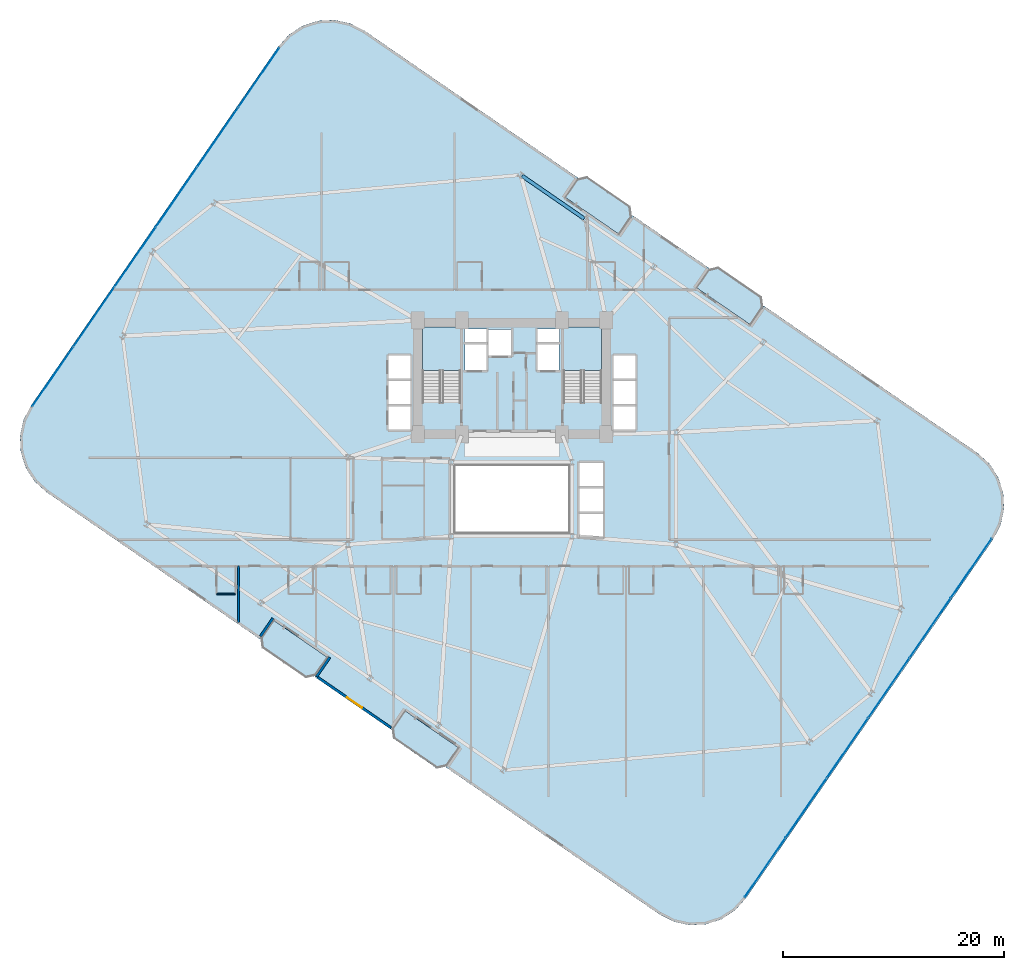
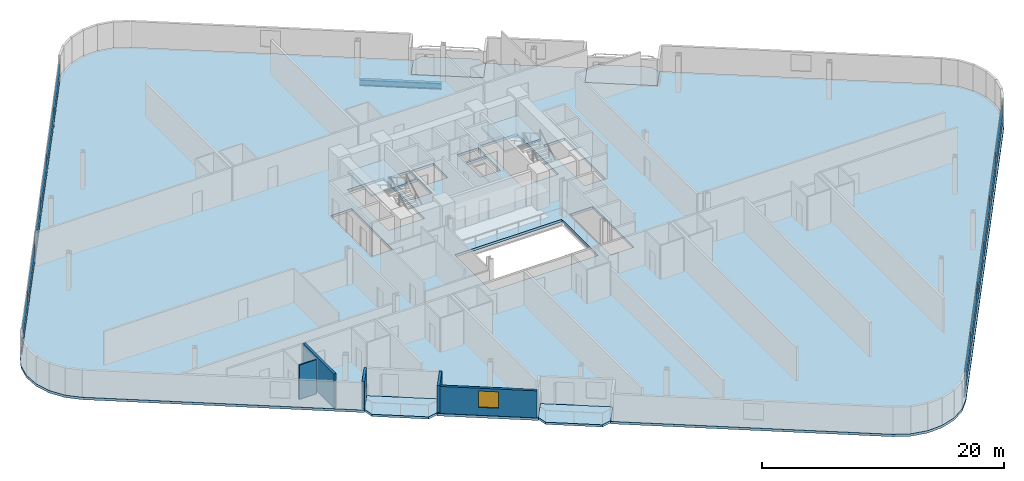
# One storey, part 16 of 25: 24 plates, 7 slabs, 5 walls, 1 beam, 1 window, 1 opening, 4 elements without a shape of their own.
"""IFC4 building model written with IfcOpenShell, lengths in metres."""

from ifc_helpers import new_model, si_unit, direction, frame, frame_2d, origin, origin_2d, place, context, subcontext, project, spatial, polyline, rectangle, i_section, outline, extrude, source, transform, mapped, material, layer, layer_set, material_profile, profile_set, type_object, element, fill, aggregate, save


model = new_model("IFC4")

# Units and contexts
model_context = context("Model", 3, precision=1e-05, world=origin(), true_north=direction((0.0, 1.0)))
body_context = subcontext(model_context, "Body", "Model", "MODEL_VIEW")
ifc_project = project(units=[si_unit("LENGTHUNIT", "METRE"), si_unit("AREAUNIT", "SQUARE_METRE"), si_unit("VOLUMEUNIT", "CUBIC_METRE"), si_unit("PLANEANGLEUNIT", "RADIAN"), si_unit("MASSUNIT", "GRAM", prefix="KILO")], contexts=[model_context])

# Site, building, storey
site_placement = place(None, origin())
site = spatial("IfcSite", under=ifc_project, at=site_placement, CompositionType="ELEMENT")
building_placement = place(site_placement, origin())
building = spatial("IfcBuilding", under=site, at=building_placement, Name="Varnelok Gate Tower", CompositionType="ELEMENT")
storey_placement = place(building_placement, frame((0.0, 0.0, 56.60009765625)))
storey = spatial("IfcBuildingStorey", under=building, at=storey_placement, Name="L13", CompositionType="ELEMENT", Elevation=56.60009765625)

# Beam
ifc_material_1 = material(Name="Structural Steel ASTM A992 Grade 50", Category="steel")
ifc_material_profile = material_profile(ifc_material_1, i_section(OverallWidth=0.323974609375, OverallDepth=0.611083984375, WebThickness=0.0126953125, FlangeThickness=0.01904296875, FilletRadius=0.01806640625, at=origin_2d()), Name="W24X104")
ifc_profile_set = profile_set([ifc_material_profile], Name="Structural Steel ASTM A992 Grade 50")
beam_type = type_object("IfcBeamType", Name="BM-SPN-W24X104", PredefinedType="SPANDREL", material=ifc_profile_set)
beam_placement = place(storey_placement, frame((45.708984375, 48.235107421875, -0.5556640625), z_axis=(-0.823553445566, 0.567238681947, 0.0), x_axis=(-0.567238681947, -0.823553445566, 0.0)))
element("IfcBeam", 1, at=beam_placement, inside=storey, type_object=beam_type, Name="L13 Perimeter Spandrel Beam 12", PredefinedType="SPANDREL", context=body_context, shape_type="SweptSolid", body=[
    extrude(i_section(OverallWidth=0.323974609375, OverallDepth=0.611083984375, WebThickness=0.0126953125, FlangeThickness=0.01904296875, FilletRadius=0.01806640625, at=origin_2d()), origin(), (0.0, 0.0, 1.0), 6.7998046875),
])

# Slabs
ifc_material_2 = material(Name="Concrete C45/55", Category="concrete")
ifc_layer_1 = layer(ifc_material_2, 0.219970703125)
ifc_layer_set_1 = layer_set([ifc_layer_1], Name="Concrete C45/55")
slab_type_1 = type_object("IfcSlabType", Name="SLB-BALC-220", PredefinedType="FLOOR", material=ifc_layer_set_1)
slab_1_placement = place(storey_placement, frame((0.0, 0.0, -0.22021484375)))
element("IfcSlab", 2, at=slab_1_placement, inside=storey, type_object=slab_type_1, Name="L13 South Hollow Balcony 1", PredefinedType="FLOOR", context=body_context, shape_type="SweptSolid", body=[
    extrude(outline(polyline([(16.5048828125, 10.3330078125), (16.67138671875, 9.42919921875), (20.5419921875, 6.762939453125), (21.446044921875, 6.929443359375), (22.58056640625, 8.57666015625), (17.639404296875, 11.980224609375), (16.5048828125, 10.3330078125)])), origin(), (0.0, 0.0, 1.0), 0.22021484375),
])
slab_2_placement = place(storey_placement, frame((0.0, 0.0, -0.22021484375)))
element("IfcSlab", 3, at=slab_2_placement, inside=storey, type_object=slab_type_1, Name="L13 South Hollow Balcony 2", PredefinedType="FLOOR", context=body_context, shape_type="SweptSolid", body=[
    extrude(outline(polyline([(28.36376953125, 2.164306640625), (28.5302734375, 1.260498046875), (32.40087890625, -1.40576171875), (33.304931640625, -1.2392578125), (34.439453125, 0.407958984375), (29.498291015625, 3.8115234375), (28.36376953125, 2.164306640625)])), origin(), (0.0, 0.0, 1.0), 0.22021484375),
])
slab_3_placement = place(storey_placement, frame((0.0, 0.0, -0.22021484375)))
element("IfcSlab", 4, at=slab_3_placement, inside=storey, type_object=slab_type_1, Name="L13 North Hollow Balcony 1", PredefinedType="FLOOR", context=body_context, shape_type="SweptSolid", body=[
    extrude(outline(polyline([(43.960693359375, 50.192138671875), (48.90185546875, 46.78857421875), (50.036376953125, 48.435546875), (49.869873046875, 49.339599609375), (45.999267578125, 52.005615234375), (45.09521484375, 51.839111328125), (43.960693359375, 50.192138671875)])), origin(), (0.0, 0.0, 1.0), 0.22021484375),
])
slab_4_placement = place(storey_placement, frame((0.0, 0.0, -0.22021484375)))
element("IfcSlab", 5, at=slab_4_placement, inside=storey, type_object=slab_type_1, Name="L13 North Hollow Balcony 2", PredefinedType="FLOOR", context=body_context, shape_type="SweptSolid", body=[
    extrude(outline(polyline([(55.819580078125, 42.0234375), (60.7607421875, 38.619873046875), (61.895263671875, 40.266845703125), (61.728515625, 41.1708984375), (57.85791015625, 43.837158203125), (56.9541015625, 43.67041015625), (55.819580078125, 42.0234375)])), origin(), (0.0, 0.0, 1.0), 0.22021484375),
])

# Stair, slab
ifc_material_3 = material(Name="Concrete C50/60", Category="concrete")
stair_type = type_object("IfcStairType", Name="STR-CORE-1650", PredefinedType="HALF_TURN_STAIR", material=ifc_material_3)
stair_1_placement = place(storey_placement, origin())
stair_1 = element("IfcStair", 6, at=stair_1_placement, inside=storey, type_object=stair_type, Name="L13 Exit Stair ST-1", PredefinedType="HALF_TURN_STAIR")
ifc_layer_2 = layer(ifc_material_2, 0.199951171875)
ifc_layer_set_2 = layer_set([ifc_layer_2], Name="Concrete C45/55")
slab_type_2 = type_object("IfcSlabType", Name="SLB-LAND-200", PredefinedType="LANDING", material=ifc_layer_set_2)
slab_5_placement = place(storey_placement, frame((0.0, 0.0, 1.64990234375)))
slab_5 = element("IfcSlab", 7, at=slab_5_placement, type_object=slab_type_2, Name="ST-1 landing 1", PredefinedType="LANDING", context=body_context, shape_type="SweptSolid", body=[
    extrude(outline(polyline([(34.550048828125, 34.5), (34.550048828125, 38.449951171875), (31.10009765625, 38.449951171875), (31.10009765625, 34.5), (34.550048828125, 34.5)])), origin(), (0.0, 0.0, 1.0), 0.199951171875),
])
aggregate(stair_1, [slab_5])

stair_2_placement = place(storey_placement, origin())
stair_2 = element("IfcStair", 8, at=stair_2_placement, inside=storey, type_object=stair_type, Name="L13 Exit Stair ST-2", PredefinedType="HALF_TURN_STAIR")
slab_6_placement = place(storey_placement, frame((0.0, 0.0, 1.64990234375)))
slab_6 = element("IfcSlab", 9, at=slab_6_placement, type_object=slab_type_2, Name="ST-2 landing 1", PredefinedType="LANDING", context=body_context, shape_type="SweptSolid", body=[
    extrude(outline(polyline([(47.300048828125, 34.5), (47.300048828125, 38.449951171875), (43.85009765625, 38.449951171875), (43.85009765625, 34.5), (47.300048828125, 34.5)])), origin(), (0.0, 0.0, 1.0), 0.199951171875),
])
aggregate(stair_2, [slab_6])

# Slab
ifc_layer_3 = layer(ifc_material_3, 0.25)
ifc_layer_set_3 = layer_set([ifc_layer_3], Name="Concrete C50/60")
slab_type_3 = type_object("IfcSlabType", Name="SLB-TYP-250", PredefinedType="FLOOR", material=ifc_layer_set_3)
slab_7_placement = place(storey_placement, frame((0.0, 0.0, -0.25)))
element("IfcSlab", 10, at=slab_7_placement, inside=storey, type_object=slab_type_3, Name="L13 Structural Floor Slab", PredefinedType="FLOOR", context=body_context, shape_type="SweptSolid", body=[
    extrude(outline(polyline([(-4.2578125, 31.3134765625), (-4.922607421875, 30.011474609375), (-5.22802734375, 28.581787109375), (-5.1533203125, 27.121826171875), (-4.702880859375, 25.731201171875), (-3.907958984375, 24.504150390625), (-2.822509765625, 23.52490234375), (7.7734375, 16.22607421875), (16.447998046875, 10.250732421875), (17.639404296875, 11.980224609375), (22.58056640625, 8.57666015625), (21.389404296875, 6.84716796875), (28.306884765625, 2.08203125), (29.498291015625, 3.8115234375), (34.439453125, 0.407958984375), (33.248046875, -1.321533203125), (41.922607421875, -7.296875), (52.518798828125, -14.595703125), (53.82080078125, -15.2607421875), (55.250244140625, -15.566162109375), (56.710205078125, -15.4912109375), (58.10107421875, -15.040771484375), (59.327880859375, -14.245849609375), (60.307373046875, -13.160400390625), (82.65771484375, 19.28662109375), (83.32275390625, 20.58837890625), (83.628173828125, 22.018310546875), (83.55322265625, 23.47802734375), (83.102783203125, 24.868896484375), (82.30810546875, 26.095703125), (81.22265625, 27.0751953125), (70.62646484375, 34.3740234375), (61.951904296875, 40.34912109375), (60.7607421875, 38.619873046875), (55.819580078125, 42.0234375), (57.0107421875, 43.752685546875), (50.093017578125, 48.517822265625), (48.90185546875, 46.78857421875), (43.960693359375, 50.192138671875), (45.15185546875, 51.92138671875), (36.477294921875, 57.896728515625), (25.881103515625, 65.195556640625), (24.579345703125, 65.860595703125), (23.149658203125, 66.166015625), (21.689697265625, 66.091064453125), (20.299072265625, 65.640869140625), (19.072021484375, 64.845947265625), (18.0927734375, 63.760498046875), (-4.2578125, 31.3134765625)]), holes=[polyline([(34.550048828125, 31.679931640625), (34.550048828125, 38.449951171875), (31.10009765625, 38.449951171875), (31.10009765625, 31.679931640625), (34.550048828125, 31.679931640625)]), polyline([(47.300048828125, 31.679931640625), (47.300048828125, 38.449951171875), (43.85009765625, 38.449951171875), (43.85009765625, 31.679931640625), (47.300048828125, 31.679931640625)]), polyline([(34.949951171875, 34.550048828125), (36.89990234375, 34.550048828125), (36.89990234375, 36.89990234375), (34.949951171875, 36.89990234375), (34.949951171875, 34.550048828125)]), polyline([(41.5, 34.550048828125), (43.449951171875, 34.550048828125), (43.449951171875, 36.89990234375), (41.5, 36.89990234375), (41.5, 34.550048828125)]), polyline([(37.050048828125, 35.85009765625), (39.14990234375, 35.85009765625), (39.14990234375, 38.199951171875), (37.050048828125, 38.199951171875), (37.050048828125, 35.85009765625)]), polyline([(28.050048828125, 29.14990234375), (30.050048828125, 29.14990234375), (30.050048828125, 35.89990234375), (28.050048828125, 35.89990234375), (28.050048828125, 29.14990234375)]), polyline([(48.35009765625, 29.14990234375), (50.35009765625, 29.14990234375), (50.35009765625, 35.89990234375), (48.35009765625, 35.89990234375), (48.35009765625, 29.14990234375)]), polyline([(45.25, 19.449951171875), (47.449951171875, 19.449951171875), (47.449951171875, 26.199951171875), (45.25, 26.199951171875), (45.25, 19.449951171875)]), polyline([(34.919921875, 37.080078125), (36.89990234375, 37.080078125), (36.89990234375, 38.280029296875), (34.919921875, 38.280029296875), (34.919921875, 37.080078125)]), polyline([(41.5, 37.080078125), (43.47998046875, 37.080078125), (43.47998046875, 38.280029296875), (41.5, 38.280029296875), (41.5, 37.080078125)]), polyline([(34.10009765625, 19.89990234375), (44.300048828125, 19.89990234375), (44.300048828125, 25.89990234375), (34.10009765625, 25.89990234375), (34.10009765625, 19.89990234375)])]), origin(), (0.0, 0.0, 1.0), 0.25),
])

# Curtain wall, plates
ifc_material_4 = material(Name="Anodized Aluminum Alloy 6063-T6", Category="aluminium")
ifc_layer_4 = layer(ifc_material_4, 0.179931640625)
ifc_layer_set_4 = layer_set([ifc_layer_4], Name="Anodized Aluminum Alloy 6063-T6")
curtain_wall_type = type_object("IfcCurtainWallType", Name="CW3-HOTEL-VISION", PredefinedType="USERDEFINED", material=ifc_layer_set_4)
curtain_wall_1_placement = place(storey_placement, origin())
curtain_wall_1 = element("IfcCurtainWall", 11, at=curtain_wall_1_placement, inside=storey, type_object=curtain_wall_type, Name="L13 West End Vision Curtain Wall", ObjectType="UNITISED CURTAIN WALL", PredefinedType="USERDEFINED")
ifc_material_5 = material(Name="Low-E Laminated Double Glazing IGU", Category="glass")
ifc_layer_5 = layer(ifc_material_5, 0.031982421875)
ifc_layer_set_5 = layer_set([ifc_layer_5], Name="Low-E Laminated Double Glazing IGU")
plate_type = type_object("IfcPlateType", Name="CW-PNL-IGU32", PredefinedType="CURTAIN_PANEL", material=ifc_layer_set_5)
shared_shape_1 = source(origin(), body_context, "Body", "SweptSolid", [
    extrude(rectangle(XDim=6.46923828125, YDim=0.031982421875, at=origin_2d()), origin(), (0.0, 0.0, 1.0), 0.802490234375),
])
plate_1_placement = place(storey_placement, frame((-2.270751953125, 33.951171875, 0.06494140625), z_axis=(0.0, 0.0, 1.0), x_axis=(0.567268822124, 0.823532685111, 0.0)))
plate_1 = element("IfcPlate", 12, at=plate_1_placement, type_object=plate_type, Name="CW3 panel 1.1", PredefinedType="CURTAIN_PANEL", context=body_context, shape_type="MappedRepresentation", body=[
    mapped(shared_shape_1, transform((0.0, 0.0, 0.0), scale=1.0)),
])
plate_2_placement = place(storey_placement, frame((16.336181640625, 60.9638671875, 0.06494140625), z_axis=(0.0, 0.0, 1.0), x_axis=(0.567268822124, 0.823532685111, 0.0)))
plate_2 = element("IfcPlate", 13, at=plate_2_placement, type_object=plate_type, Name="CW3 panel 6.1", PredefinedType="CURTAIN_PANEL", context=body_context, shape_type="MappedRepresentation", body=[
    mapped(shared_shape_1, transform((0.0, 0.0, 0.0), scale=1.0)),
])

curtain_wall_2_placement = place(storey_placement, origin())
curtain_wall_2 = element("IfcCurtainWall", 14, at=curtain_wall_2_placement, inside=storey, type_object=curtain_wall_type, Name="L13 East End Vision Curtain Wall", ObjectType="UNITISED CURTAIN WALL", PredefinedType="USERDEFINED")
plate_3_placement = place(storey_placement, frame((80.670654296875, 16.648681640625, 0.06494140625), z_axis=(0.0, 0.0, 1.0), x_axis=(-0.567268822124, -0.823532685111, 0.0)))
plate_3 = element("IfcPlate", 15, at=plate_3_placement, type_object=plate_type, Name="CW3 panel 1.1", PredefinedType="CURTAIN_PANEL", context=body_context, shape_type="MappedRepresentation", body=[
    mapped(shared_shape_1, transform((0.0, 0.0, 0.0), scale=1.0)),
])
plate_4_placement = place(storey_placement, frame((62.063720703125, -10.36376953125, 0.06494140625), z_axis=(0.0, 0.0, 1.0), x_axis=(-0.567268822124, -0.823532685111, 0.0)))
plate_4 = element("IfcPlate", 16, at=plate_4_placement, type_object=plate_type, Name="CW3 panel 6.1", PredefinedType="CURTAIN_PANEL", context=body_context, shape_type="MappedRepresentation", body=[
    mapped(shared_shape_1, transform((0.0, 0.0, 0.0), scale=1.0)),
])

# Plate
shared_shape_2 = source(origin(), body_context, "Body", "SweptSolid", [
    extrude(rectangle(XDim=6.46923828125, YDim=0.031982421875, at=origin_2d()), origin(), (0.0, 0.0, 1.0), 1.732421875),
])
plate_5_placement = place(storey_placement, frame((-2.270751953125, 33.951171875, 0.932373046875), z_axis=(0.0, 0.0, 1.0), x_axis=(0.567268822124, 0.823532685111, 0.0)))
plate_5 = element("IfcPlate", 17, at=plate_5_placement, type_object=plate_type, Name="CW3 panel 1.2", PredefinedType="CURTAIN_PANEL", context=body_context, shape_type="MappedRepresentation", body=[
    mapped(shared_shape_2, transform((0.0, 0.0, 0.0), scale=1.0)),
])

plate_6_placement = place(storey_placement, frame((16.336181640625, 60.9638671875, 0.932373046875), z_axis=(0.0, 0.0, 1.0), x_axis=(0.567268822124, 0.823532685111, 0.0)))
plate_6 = element("IfcPlate", 18, at=plate_6_placement, type_object=plate_type, Name="CW3 panel 6.2", PredefinedType="CURTAIN_PANEL", context=body_context, shape_type="MappedRepresentation", body=[
    mapped(shared_shape_2, transform((0.0, 0.0, 0.0), scale=1.0)),
])

plate_7_placement = place(storey_placement, frame((80.670654296875, 16.648681640625, 0.932373046875), z_axis=(0.0, 0.0, 1.0), x_axis=(-0.567268822124, -0.823532685111, 0.0)))
plate_7 = element("IfcPlate", 19, at=plate_7_placement, type_object=plate_type, Name="CW3 panel 1.2", PredefinedType="CURTAIN_PANEL", context=body_context, shape_type="MappedRepresentation", body=[
    mapped(shared_shape_2, transform((0.0, 0.0, 0.0), scale=1.0)),
])

plate_8_placement = place(storey_placement, frame((62.063720703125, -10.36376953125, 0.932373046875), z_axis=(0.0, 0.0, 1.0), x_axis=(-0.567268822124, -0.823532685111, 0.0)))
plate_8 = element("IfcPlate", 20, at=plate_8_placement, type_object=plate_type, Name="CW3 panel 6.2", PredefinedType="CURTAIN_PANEL", context=body_context, shape_type="MappedRepresentation", body=[
    mapped(shared_shape_2, transform((0.0, 0.0, 0.0), scale=1.0)),
])

shared_shape_3 = source(origin(), body_context, "Body", "SweptSolid", [
    extrude(rectangle(XDim=6.501708984375, YDim=0.031982421875, at=origin_2d()), origin(), (0.0, 0.0, 1.0), 0.802490234375),
])
plate_9_placement = place(storey_placement, frame((1.4453125, 39.345703125, 0.06494140625), z_axis=(0.0, 0.0, 1.0), x_axis=(0.567268822124, 0.823532685111, 0.0)))
plate_9 = element("IfcPlate", 21, at=plate_9_placement, type_object=plate_type, Name="CW3 panel 2.1", PredefinedType="CURTAIN_PANEL", context=body_context, shape_type="MappedRepresentation", body=[
    mapped(shared_shape_3, transform((0.0, 0.0, 0.0), scale=1.0)),
])

plate_10_placement = place(storey_placement, frame((5.170166015625, 44.753662109375, 0.06494140625), z_axis=(0.0, 0.0, 1.0), x_axis=(0.567268822124, 0.823532685111, 0.0)))
plate_10 = element("IfcPlate", 22, at=plate_10_placement, type_object=plate_type, Name="CW3 panel 3.1", PredefinedType="CURTAIN_PANEL", context=body_context, shape_type="MappedRepresentation", body=[
    mapped(shared_shape_3, transform((0.0, 0.0, 0.0), scale=1.0)),
])

plate_11_placement = place(storey_placement, frame((8.895263671875, 50.161376953125, 0.06494140625), z_axis=(0.0, 0.0, 1.0), x_axis=(0.567268822124, 0.823532685111, 0.0)))
plate_11 = element("IfcPlate", 23, at=plate_11_placement, type_object=plate_type, Name="CW3 panel 4.1", PredefinedType="CURTAIN_PANEL", context=body_context, shape_type="MappedRepresentation", body=[
    mapped(shared_shape_3, transform((0.0, 0.0, 0.0), scale=1.0)),
])

plate_12_placement = place(storey_placement, frame((12.620361328125, 55.5693359375, 0.06494140625), z_axis=(0.0, 0.0, 1.0), x_axis=(0.567268822124, 0.823532685111, 0.0)))
plate_12 = element("IfcPlate", 24, at=plate_12_placement, type_object=plate_type, Name="CW3 panel 5.1", PredefinedType="CURTAIN_PANEL", context=body_context, shape_type="MappedRepresentation", body=[
    mapped(shared_shape_3, transform((0.0, 0.0, 0.0), scale=1.0)),
])

plate_13_placement = place(storey_placement, frame((76.954833984375, 11.25439453125, 0.06494140625), z_axis=(0.0, 0.0, 1.0), x_axis=(-0.567268822124, -0.823532685111, 0.0)))
plate_13 = element("IfcPlate", 25, at=plate_13_placement, type_object=plate_type, Name="CW3 panel 2.1", PredefinedType="CURTAIN_PANEL", context=body_context, shape_type="MappedRepresentation", body=[
    mapped(shared_shape_3, transform((0.0, 0.0, 0.0), scale=1.0)),
])

plate_14_placement = place(storey_placement, frame((73.229736328125, 5.846435546875, 0.06494140625), z_axis=(0.0, 0.0, 1.0), x_axis=(-0.567268822124, -0.823532685111, 0.0)))
plate_14 = element("IfcPlate", 26, at=plate_14_placement, type_object=plate_type, Name="CW3 panel 3.1", PredefinedType="CURTAIN_PANEL", context=body_context, shape_type="MappedRepresentation", body=[
    mapped(shared_shape_3, transform((0.0, 0.0, 0.0), scale=1.0)),
])

plate_15_placement = place(storey_placement, frame((69.504638671875, 0.4384765625, 0.06494140625), z_axis=(0.0, 0.0, 1.0), x_axis=(-0.567268822124, -0.823532685111, 0.0)))
plate_15 = element("IfcPlate", 27, at=plate_15_placement, type_object=plate_type, Name="CW3 panel 4.1", PredefinedType="CURTAIN_PANEL", context=body_context, shape_type="MappedRepresentation", body=[
    mapped(shared_shape_3, transform((0.0, 0.0, 0.0), scale=1.0)),
])

plate_16_placement = place(storey_placement, frame((65.779541015625, -4.96923828125, 0.06494140625), z_axis=(0.0, 0.0, 1.0), x_axis=(-0.567268822124, -0.823532685111, 0.0)))
plate_16 = element("IfcPlate", 28, at=plate_16_placement, type_object=plate_type, Name="CW3 panel 5.1", PredefinedType="CURTAIN_PANEL", context=body_context, shape_type="MappedRepresentation", body=[
    mapped(shared_shape_3, transform((0.0, 0.0, 0.0), scale=1.0)),
])

shared_shape_4 = source(origin(), body_context, "Body", "SweptSolid", [
    extrude(rectangle(XDim=6.501708984375, YDim=0.031982421875, at=origin_2d()), origin(), (0.0, 0.0, 1.0), 1.732421875),
])
plate_17_placement = place(storey_placement, frame((1.4453125, 39.345703125, 0.932373046875), z_axis=(0.0, 0.0, 1.0), x_axis=(0.567268822124, 0.823532685111, 0.0)))
plate_17 = element("IfcPlate", 29, at=plate_17_placement, type_object=plate_type, Name="CW3 panel 2.2", PredefinedType="CURTAIN_PANEL", context=body_context, shape_type="MappedRepresentation", body=[
    mapped(shared_shape_4, transform((0.0, 0.0, 0.0), scale=1.0)),
])

plate_18_placement = place(storey_placement, frame((5.170166015625, 44.753662109375, 0.932373046875), z_axis=(0.0, 0.0, 1.0), x_axis=(0.567268822124, 0.823532685111, 0.0)))
plate_18 = element("IfcPlate", 30, at=plate_18_placement, type_object=plate_type, Name="CW3 panel 3.2", PredefinedType="CURTAIN_PANEL", context=body_context, shape_type="MappedRepresentation", body=[
    mapped(shared_shape_4, transform((0.0, 0.0, 0.0), scale=1.0)),
])

plate_19_placement = place(storey_placement, frame((8.895263671875, 50.161376953125, 0.932373046875), z_axis=(0.0, 0.0, 1.0), x_axis=(0.567268822124, 0.823532685111, 0.0)))
plate_19 = element("IfcPlate", 31, at=plate_19_placement, type_object=plate_type, Name="CW3 panel 4.2", PredefinedType="CURTAIN_PANEL", context=body_context, shape_type="MappedRepresentation", body=[
    mapped(shared_shape_4, transform((0.0, 0.0, 0.0), scale=1.0)),
])

plate_20_placement = place(storey_placement, frame((12.620361328125, 55.5693359375, 0.932373046875), z_axis=(0.0, 0.0, 1.0), x_axis=(0.567268822124, 0.823532685111, 0.0)))
plate_20 = element("IfcPlate", 32, at=plate_20_placement, type_object=plate_type, Name="CW3 panel 5.2", PredefinedType="CURTAIN_PANEL", context=body_context, shape_type="MappedRepresentation", body=[
    mapped(shared_shape_4, transform((0.0, 0.0, 0.0), scale=1.0)),
])

aggregate(curtain_wall_1, [plate_1, plate_5, plate_9, plate_17, plate_10, plate_18, plate_11, plate_19, plate_12, plate_20, plate_2, plate_6])

plate_21_placement = place(storey_placement, frame((76.954833984375, 11.25439453125, 0.932373046875), z_axis=(0.0, 0.0, 1.0), x_axis=(-0.567268822124, -0.823532685111, 0.0)))
plate_21 = element("IfcPlate", 33, at=plate_21_placement, type_object=plate_type, Name="CW3 panel 2.2", PredefinedType="CURTAIN_PANEL", context=body_context, shape_type="MappedRepresentation", body=[
    mapped(shared_shape_4, transform((0.0, 0.0, 0.0), scale=1.0)),
])

plate_22_placement = place(storey_placement, frame((73.229736328125, 5.846435546875, 0.932373046875), z_axis=(0.0, 0.0, 1.0), x_axis=(-0.567268822124, -0.823532685111, 0.0)))
plate_22 = element("IfcPlate", 34, at=plate_22_placement, type_object=plate_type, Name="CW3 panel 3.2", PredefinedType="CURTAIN_PANEL", context=body_context, shape_type="MappedRepresentation", body=[
    mapped(shared_shape_4, transform((0.0, 0.0, 0.0), scale=1.0)),
])

plate_23_placement = place(storey_placement, frame((69.504638671875, 0.4384765625, 0.932373046875), z_axis=(0.0, 0.0, 1.0), x_axis=(-0.567268822124, -0.823532685111, 0.0)))
plate_23 = element("IfcPlate", 35, at=plate_23_placement, type_object=plate_type, Name="CW3 panel 4.2", PredefinedType="CURTAIN_PANEL", context=body_context, shape_type="MappedRepresentation", body=[
    mapped(shared_shape_4, transform((0.0, 0.0, 0.0), scale=1.0)),
])

plate_24_placement = place(storey_placement, frame((65.779541015625, -4.96923828125, 0.932373046875), z_axis=(0.0, 0.0, 1.0), x_axis=(-0.567268822124, -0.823532685111, 0.0)))
plate_24 = element("IfcPlate", 36, at=plate_24_placement, type_object=plate_type, Name="CW3 panel 5.2", PredefinedType="CURTAIN_PANEL", context=body_context, shape_type="MappedRepresentation", body=[
    mapped(shared_shape_4, transform((0.0, 0.0, 0.0), scale=1.0)),
])

aggregate(curtain_wall_2, [plate_3, plate_7, plate_13, plate_21, plate_14, plate_22, plate_15, plate_23, plate_16, plate_24, plate_4, plate_8])

# Walls
ifc_layer_6 = layer(ifc_material_2, 0.219970703125)
ifc_layer_set_6 = layer_set([ifc_layer_6], Name="Concrete C45/55")
wall_type_1 = type_object("IfcWallType", Name="EW-BALC-220", PredefinedType="SOLIDWALL", material=ifc_layer_set_6)
wall_1_placement = place(storey_placement, frame((16.48828125, 10.5205078125, 0.0), z_axis=(0.0, 0.0, 1.0), x_axis=(0.567131976434, 0.823626930902, 0.0)))
element("IfcWall", 37, at=wall_1_placement, inside=storey, type_object=wall_type_1, Name="L13 Perimeter Facade Closure Wall 8", PredefinedType="SOLIDWALL", context=body_context, shape_type="SweptSolid", body=[
    extrude(rectangle(XDim=1.97509765625, YDim=0.219970703125, at=frame_2d((0.987548828125, 0.0))), origin(), (0.0, 0.0, 1.0), 2.72998046875),
])
wall_2_placement = place(storey_placement, frame((22.747314453125, 8.607421875, 0.0), z_axis=(0.0, 0.0, 1.0), x_axis=(-0.567219383419, -0.823566737474, 0.0)))
element("IfcWall", 38, at=wall_2_placement, inside=storey, type_object=wall_type_1, Name="L13 Perimeter Facade Closure Wall 9", PredefinedType="SOLIDWALL", context=body_context, shape_type="SweptSolid", body=[
    extrude(rectangle(XDim=2.10009765625, YDim=0.219970703125, at=frame_2d((1.050048828125, 0.0))), origin(), (0.0, 0.0, 1.0), 2.72998046875),
])

# Wall, opening, window
wall_3_placement = place(storey_placement, frame((21.6591796875, 6.806884765625, 0.0), z_axis=(0.0, 0.0, 1.0), x_axis=(0.823535360023, -0.567264938799, 0.0)))
wall_3 = element("IfcWall", 39, at=wall_3_placement, inside=storey, type_object=wall_type_1, Name="L13 Perimeter Facade Closure Wall 10", PredefinedType="SOLIDWALL", context=body_context, shape_type="SweptSolid", body=[
    extrude(rectangle(XDim=8.034912109375, YDim=0.219970703125, at=frame_2d((4.017578125, 0.0))), origin(), (0.0, 0.0, 1.0), 2.72998046875),
])
opening_placement = place(wall_3_placement, frame((3.1923828125, 0.0, 0.800048828125)))
opening = element("IfcOpeningElement", 40, at=opening_placement, cuts=wall_3, Name="Opening WN3", PredefinedType="OPENING", context=body_context, shape_type="SweptSolid", body=[
    extrude(rectangle(XDim=1.64990234375, YDim=1.64990234375, at=frame_2d((0.824951171875, 0.824951171875))), frame((0.0, 0.119873046875, 0.0), z_axis=(0.0, -1.0, 0.0), x_axis=(1.0, 0.0, 0.0)), (0.0, 0.0, 1.0), 0.239990234375),
])
window_type = type_object("IfcWindowType", Name="WN-HTL-1650", PartitioningType="SINGLE_PANEL", PredefinedType="WINDOW", material=ifc_material_5)
window_placement = place(opening_placement, origin())
window = element("IfcWindow", 41, at=window_placement, inside=storey, type_object=window_type, Name="L13 Perimeter Vision Window 10", OverallHeight=1.64990234375, OverallWidth=1.64990234375, PartitioningType="SINGLE_PANEL", PredefinedType="WINDOW", context=body_context, shape_type="SweptSolid", body=[
    extrude(rectangle(XDim=1.64990234375, YDim=1.64990234375, at=frame_2d((0.824951171875, 0.824951171875))), frame((0.0, 0.030029296875, 0.0), z_axis=(0.0, -1.0, 0.0), x_axis=(1.0, 0.0, 0.0)), (0.0, 0.0, 1.0), 0.06005859375),
])
fill(opening, window)

# Walls
ifc_material_6 = material(Name="Gypsum Plasterboard Acoustic Partition", Category="gypsum")
ifc_layer_7 = layer(ifc_material_6, 0.114990234375)
ifc_layer_set_7 = layer_set([ifc_layer_7], Name="Gypsum Plasterboard Acoustic Partition")
wall_type_2 = type_object("IfcWallType", Name="PW-ENS-125", PredefinedType="PARTITIONING", material=ifc_layer_set_7)
wall_4_placement = place(storey_placement, frame((12.550048828125, 14.330078125, 0.0), z_axis=(0.0, 0.0, 1.0), x_axis=(1.0, 0.0, 0.0)))
element("IfcWall", 42, at=wall_4_placement, inside=storey, type_object=wall_type_2, Name="Interior Partition", PredefinedType="PARTITIONING", context=body_context, shape_type="SweptSolid", body=[
    extrude(rectangle(XDim=1.64990234375, YDim=0.114990234375, at=frame_2d((0.824951171875, 0.0))), origin(), (0.0, 0.0, 1.0), 3.449951171875),
])
ifc_layer_8 = layer(ifc_material_6, 0.205078125)
ifc_layer_set_8 = layer_set([ifc_layer_8], Name="Gypsum Plasterboard Acoustic Partition")
wall_type_3 = type_object("IfcWallType", Name="PW-PARTY-200", PredefinedType="PARTITIONING", material=ifc_layer_set_8)
wall_5_placement = place(storey_placement, frame((14.5, 11.7626953125, 0.0), z_axis=(0.0, 0.0, 1.0), x_axis=(0.0, 1.0, 0.0)))
element("IfcWall", 43, at=wall_5_placement, inside=storey, type_object=wall_type_3, Name="L13 South Party Wall 1", PredefinedType="PARTITIONING", context=body_context, shape_type="SweptSolid", body=[
    extrude(rectangle(XDim=5.08740234375, YDim=0.205078125, at=frame_2d((2.543701171875, 0.0))), origin(), (0.0, 0.0, 1.0), 3.449951171875),
])

save(model, "model.ifc")
